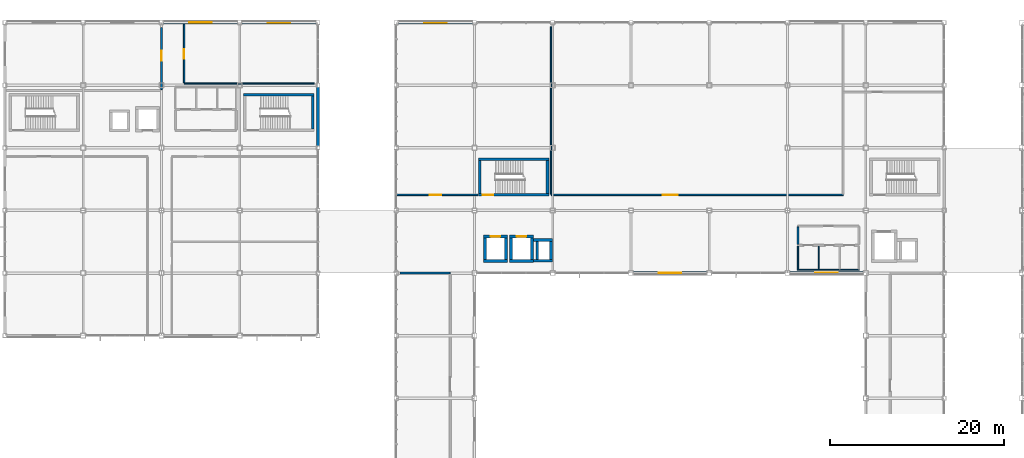
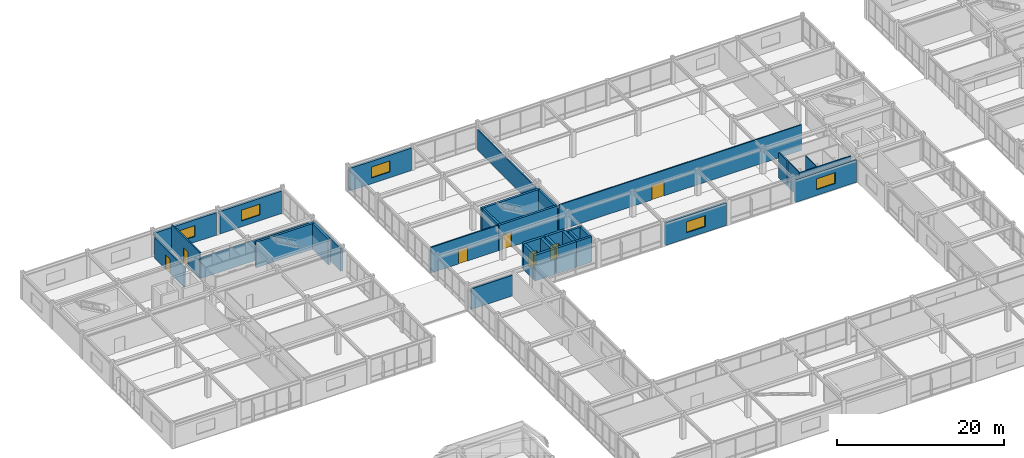
# One storey, part 96 of 113: 35 walls, 7 doors, 5 windows, 12 openings.
"""IFC4 building model written with IfcOpenShell, lengths in metres."""

from ifc_helpers import new_model, si_unit, direction, frame, frame_2d, origin, place, context, subcontext, project, spatial, rectangle, extrude, material, layer, layer_set, type_object, element, fill, save


model = new_model("IFC4")

# Units and contexts
model_context = context("Model", 3, precision=1e-05, world=origin(), true_north=direction((0.0, 1.0)))
body_context = subcontext(model_context, "Body", "Model", "MODEL_VIEW")
ifc_project = project(units=[si_unit("LENGTHUNIT", "METRE"), si_unit("AREAUNIT", "SQUARE_METRE"), si_unit("VOLUMEUNIT", "CUBIC_METRE"), si_unit("PLANEANGLEUNIT", "RADIAN"), si_unit("MASSUNIT", "GRAM", prefix="KILO")], contexts=[model_context])

# Site, building, storey
site_placement = place(None, origin())
site = spatial("IfcSite", under=ifc_project, at=site_placement, CompositionType="ELEMENT")
building_placement = place(site_placement, origin())
building = spatial("IfcBuilding", under=site, at=building_placement, Name="Kazanami Central Library", CompositionType="ELEMENT")
storey_placement = place(building_placement, frame((0.0, 0.0, 8.800048828125)))
storey = spatial("IfcBuildingStorey", under=building, at=storey_placement, Name="L03", CompositionType="ELEMENT", Elevation=8.800048828125)

# Wall
ifc_material_1 = material(Name="Concrete Fc36 (36 MPa)", Category="concrete")
ifc_layer_1 = layer(ifc_material_1, 0.219970703125, Name="Concrete Fc36 (36 MPa)")
ifc_material_2 = material(Name="Extruded Polystyrene XPS", Category="earth")
ifc_layer_2 = layer(ifc_material_2, 0.050048828125, Name="Extruded Polystyrene XPS")
ifc_material_3 = material(Name="Honed Inada Granite", Category="masonry")
ifc_layer_3 = layer(ifc_material_3, 0.030029296875, Name="Honed Inada Granite")
ifc_layer_set_1 = layer_set([ifc_layer_1, ifc_layer_2, ifc_layer_3], Name="Concrete Fc36 (36 MPa)")
wall_type_1 = type_object("IfcWallType", Name="WAL-EW-300", PredefinedType="STANDARD", material=ifc_layer_set_1)
wall_1_placement = place(storey_placement, frame((36.0, 86.175048828125, 0.0), z_axis=(0.0, 0.0, 1.0), x_axis=(0.0, -1.0, 0.0)))
element("IfcWall", 1, at=wall_1_placement, inside=storey, type_object=wall_type_1, Name="Exterior Facade Wall EW-300 L03 E-5-11", PredefinedType="STANDARD", context=body_context, shape_type="SweptSolid", body=[
    extrude(rectangle(XDim=6.75, YDim=0.300048828125, at=frame_2d((3.375, 0.0))), origin(), (0.0, 0.0, 1.0), 3.294921875),
])

# Wall, opening, window
ifc_layer_4 = layer(ifc_material_1, 0.239990234375, Name="Concrete Fc36 (36 MPa)")
ifc_layer_5 = layer(ifc_material_2, 0.050048828125, Name="Extruded Polystyrene XPS")
ifc_layer_6 = layer(ifc_material_3, 0.030029296875, Name="Honed Inada Granite")
ifc_layer_set_2 = layer_set([ifc_layer_4, ifc_layer_5, ifc_layer_6], Name="Concrete Fc36 (36 MPa)")
wall_type_2 = type_object("IfcWallType", Name="WAL-EW-320", PredefinedType="STANDARD", material=ifc_layer_set_2)
wall_2_placement = place(storey_placement, frame((72.27490234375, 64.800048828125, 0.0), z_axis=(0.0, 0.0, 1.0), x_axis=(1.0, 0.0, 0.0)))
wall_2 = element("IfcWall", 2, at=wall_2_placement, inside=storey, type_object=wall_type_2, Name="Exterior Facade Wall EW-320 L03 S-K-08", PredefinedType="STANDARD", context=body_context, shape_type="SweptSolid", body=[
    extrude(rectangle(XDim=8.4501953125, YDim=0.320068359375, at=frame_2d((4.22509765625, 0.0))), origin(), (0.0, 0.0, 1.0), 3.294921875),
])
opening_1_placement = place(wall_2_placement, frame((2.925048828125, 0.0, 0.85009765625)))
opening_1 = element("IfcOpeningElement", 3, at=opening_1_placement, cuts=wall_2, Name="Opening WN-13", PredefinedType="OPENING", context=body_context, shape_type="SweptSolid", body=[
    extrude(rectangle(XDim=2.60009765625, YDim=1.60009765625, at=frame_2d((1.300048828125, 0.800048828125))), frame((0.0, 0.171875, 0.0), z_axis=(0.0, -1.0, 0.0), x_axis=(1.0, 0.0, 0.0)), (0.0, 0.0, 1.0), 0.343994140625),
])
ifc_material_4 = material(Name="Low-E Insulated Triple Glass", Category="glass")
window_type = type_object("IfcWindowType", Name="WIN-WN-13", PartitioningType="DOUBLE_PANEL_VERTICAL", PredefinedType="WINDOW", material=ifc_material_4)
window_1_placement = place(opening_1_placement, origin())
window_1 = element("IfcWindow", 4, at=window_1_placement, inside=storey, type_object=window_type, Name="Facade Window WN-13 L03 S-K-08", OverallHeight=1.60009765625, OverallWidth=2.60009765625, PartitioningType="DOUBLE_PANEL_VERTICAL", PredefinedType="WINDOW", context=body_context, shape_type="SweptSolid", body=[
    extrude(rectangle(XDim=2.60009765625, YDim=1.60009765625, at=frame_2d((1.300048828125, 0.800048828125))), frame((0.0, 0.030029296875, 0.0), z_axis=(0.0, -1.0, 0.0), x_axis=(1.0, 0.0, 0.0)), (0.0, 0.0, 1.0), 0.06005859375),
])
fill(opening_1, window_1)

wall_3_placement = place(storey_placement, frame((90.27490234375, 64.800048828125, 0.0), z_axis=(0.0, 0.0, 1.0), x_axis=(1.0, 0.0, 0.0)))
wall_3 = element("IfcWall", 5, at=wall_3_placement, inside=storey, type_object=wall_type_2, Name="Exterior Facade Wall EW-320 L03 S-K-10", PredefinedType="STANDARD", context=body_context, shape_type="SweptSolid", body=[
    extrude(rectangle(XDim=8.4501953125, YDim=0.320068359375, at=frame_2d((4.22509765625, 0.0))), origin(), (0.0, 0.0, 1.0), 3.294921875),
])
opening_2_placement = place(wall_3_placement, frame((2.925048828125, 0.0, 0.85009765625)))
opening_2 = element("IfcOpeningElement", 6, at=opening_2_placement, cuts=wall_3, Name="Opening WN-13", PredefinedType="OPENING", context=body_context, shape_type="SweptSolid", body=[
    extrude(rectangle(XDim=2.60009765625, YDim=1.60009765625, at=frame_2d((1.300048828125, 0.800048828125))), frame((0.0, 0.171875, 0.0), z_axis=(0.0, -1.0, 0.0), x_axis=(1.0, 0.0, 0.0)), (0.0, 0.0, 1.0), 0.343994140625),
])
window_2_placement = place(opening_2_placement, origin())
window_2 = element("IfcWindow", 7, at=window_2_placement, inside=storey, type_object=window_type, Name="Facade Window WN-13 L03 S-K-10", OverallHeight=1.60009765625, OverallWidth=2.60009765625, PartitioningType="DOUBLE_PANEL_VERTICAL", PredefinedType="WINDOW", context=body_context, shape_type="SweptSolid", body=[
    extrude(rectangle(XDim=2.60009765625, YDim=1.60009765625, at=frame_2d((1.300048828125, 0.800048828125))), frame((0.0, 0.030029296875, 0.0), z_axis=(0.0, -1.0, 0.0), x_axis=(1.0, 0.0, 0.0)), (0.0, 0.0, 1.0), 0.06005859375),
])
fill(opening_2, window_2)

wall_4_placement = place(storey_placement, frame((26.77490234375, 93.60009765625, 0.0), z_axis=(0.0, 0.0, 1.0), x_axis=(-1.0, 0.0, 0.0)))
wall_4 = element("IfcWall", 8, at=wall_4_placement, inside=storey, type_object=wall_type_2, Name="Exterior Facade Wall EW-320 L03 N-O-02", PredefinedType="STANDARD", context=body_context, shape_type="SweptSolid", body=[
    extrude(rectangle(XDim=8.5498046875, YDim=0.320068359375, at=frame_2d((4.27490234375, 0.0))), origin(), (0.0, 0.0, 1.0), 3.294921875),
])
opening_3_placement = place(wall_4_placement, frame((2.97509765625, 0.0, 0.85009765625)))
opening_3 = element("IfcOpeningElement", 9, at=opening_3_placement, cuts=wall_4, Name="Opening WN-13", PredefinedType="OPENING", context=body_context, shape_type="SweptSolid", body=[
    extrude(rectangle(XDim=2.60009765625, YDim=1.60009765625, at=frame_2d((1.300048828125, 0.800048828125))), frame((0.0, 0.171875, 0.0), z_axis=(0.0, -1.0, 0.0), x_axis=(1.0, 0.0, 0.0)), (0.0, 0.0, 1.0), 0.343994140625),
])
window_3_placement = place(opening_3_placement, origin())
window_3 = element("IfcWindow", 10, at=window_3_placement, inside=storey, type_object=window_type, Name="Facade Window WN-13 L03 N-O-02", OverallHeight=1.60009765625, OverallWidth=2.60009765625, PartitioningType="DOUBLE_PANEL_VERTICAL", PredefinedType="WINDOW", context=body_context, shape_type="SweptSolid", body=[
    extrude(rectangle(XDim=2.60009765625, YDim=1.60009765625, at=frame_2d((1.300048828125, 0.800048828125))), frame((0.0, 0.030029296875, 0.0), z_axis=(0.0, -1.0, 0.0), x_axis=(1.0, 0.0, 0.0)), (0.0, 0.0, 1.0), 0.06005859375),
])
fill(opening_3, window_3)

wall_5_placement = place(storey_placement, frame((35.77490234375, 93.60009765625, 0.0), z_axis=(0.0, 0.0, 1.0), x_axis=(-1.0, 0.0, 0.0)))
wall_5 = element("IfcWall", 11, at=wall_5_placement, inside=storey, type_object=wall_type_2, Name="Exterior Facade Wall EW-320 L03 N-O-03", PredefinedType="STANDARD", context=body_context, shape_type="SweptSolid", body=[
    extrude(rectangle(XDim=8.5498046875, YDim=0.320068359375, at=frame_2d((4.27490234375, 0.0))), origin(), (0.0, 0.0, 1.0), 3.294921875),
])
opening_4_placement = place(wall_5_placement, frame((2.97509765625, 0.0, 0.85009765625)))
opening_4 = element("IfcOpeningElement", 12, at=opening_4_placement, cuts=wall_5, Name="Opening WN-13", PredefinedType="OPENING", context=body_context, shape_type="SweptSolid", body=[
    extrude(rectangle(XDim=2.60009765625, YDim=1.60009765625, at=frame_2d((1.300048828125, 0.800048828125))), frame((0.0, 0.171875, 0.0), z_axis=(0.0, -1.0, 0.0), x_axis=(1.0, 0.0, 0.0)), (0.0, 0.0, 1.0), 0.343994140625),
])
window_4_placement = place(opening_4_placement, origin())
window_4 = element("IfcWindow", 13, at=window_4_placement, inside=storey, type_object=window_type, Name="Facade Window WN-13 L03 N-O-03", OverallHeight=1.60009765625, OverallWidth=2.60009765625, PartitioningType="DOUBLE_PANEL_VERTICAL", PredefinedType="WINDOW", context=body_context, shape_type="SweptSolid", body=[
    extrude(rectangle(XDim=2.60009765625, YDim=1.60009765625, at=frame_2d((1.300048828125, 0.800048828125))), frame((0.0, 0.030029296875, 0.0), z_axis=(0.0, -1.0, 0.0), x_axis=(1.0, 0.0, 0.0)), (0.0, 0.0, 1.0), 0.06005859375),
])
fill(opening_4, window_4)

wall_6_placement = place(storey_placement, frame((53.77490234375, 93.60009765625, 0.0), z_axis=(0.0, 0.0, 1.0), x_axis=(-1.0, 0.0, 0.0)))
wall_6 = element("IfcWall", 14, at=wall_6_placement, inside=storey, type_object=wall_type_2, Name="Exterior Facade Wall EW-320 L03 N-O-05", PredefinedType="STANDARD", context=body_context, shape_type="SweptSolid", body=[
    extrude(rectangle(XDim=8.5498046875, YDim=0.320068359375, at=frame_2d((4.27490234375, 0.0))), origin(), (0.0, 0.0, 1.0), 3.294921875),
])
opening_5_placement = place(wall_6_placement, frame((2.97509765625, 0.0, 0.85009765625)))
opening_5 = element("IfcOpeningElement", 15, at=opening_5_placement, cuts=wall_6, Name="Opening WN-13", PredefinedType="OPENING", context=body_context, shape_type="SweptSolid", body=[
    extrude(rectangle(XDim=2.60009765625, YDim=1.60009765625, at=frame_2d((1.300048828125, 0.800048828125))), frame((0.0, 0.171875, 0.0), z_axis=(0.0, -1.0, 0.0), x_axis=(1.0, 0.0, 0.0)), (0.0, 0.0, 1.0), 0.343994140625),
])
window_5_placement = place(opening_5_placement, origin())
window_5 = element("IfcWindow", 16, at=window_5_placement, inside=storey, type_object=window_type, Name="Facade Window WN-13 L03 N-O-05", OverallHeight=1.60009765625, OverallWidth=2.60009765625, PartitioningType="DOUBLE_PANEL_VERTICAL", PredefinedType="WINDOW", context=body_context, shape_type="SweptSolid", body=[
    extrude(rectangle(XDim=2.60009765625, YDim=1.60009765625, at=frame_2d((1.300048828125, 0.800048828125))), frame((0.0, 0.030029296875, 0.0), z_axis=(0.0, -1.0, 0.0), x_axis=(1.0, 0.0, 0.0)), (0.0, 0.0, 1.0), 0.06005859375),
])
fill(opening_5, window_5)

# Wall
ifc_material_5 = material(Name="Fire-Resistant Gypsum Board GB-F", Category="gypsum")
ifc_layer_7 = layer(ifc_material_5, 0.1650390625, Name="Fire-Resistant Gypsum Board GB-F")
ifc_layer_set_3 = layer_set([ifc_layer_7], Name="Fire-Resistant Gypsum Board GB-F")
wall_type_3 = type_object("IfcWallType", Name="WAL-FW-165", PredefinedType="PARTITIONING", material=ifc_layer_set_3)
wall_7_placement = place(storey_placement, frame((20.60009765625, 86.60009765625, 0.0), z_axis=(0.0, 0.0, 1.0), x_axis=(1.0, 0.0, 0.0)))
element("IfcWall", 17, at=wall_7_placement, inside=storey, type_object=wall_type_3, Name="Interior Partition FW-165 L03 RM-19 (South)", PredefinedType="PARTITIONING", context=body_context, shape_type="SweptSolid", body=[
    extrude(rectangle(XDim=14.94482421875, YDim=0.1650390625, at=frame_2d((7.472412109375, 0.0))), origin(), (0.0, 0.0, 1.0), 3.02490234375),
])

# Wall, opening, door
wall_8_placement = place(storey_placement, frame((20.60009765625, 86.68994140625, 0.0), z_axis=(0.0, 0.0, 1.0), x_axis=(0.0, 1.0, 0.0)))
wall_8 = element("IfcWall", 18, at=wall_8_placement, inside=storey, type_object=wall_type_3, Name="Interior Partition FW-165 L03 RM-19 (West)", PredefinedType="PARTITIONING", context=body_context, shape_type="SweptSolid", body=[
    extrude(rectangle(XDim=6.7451171875, YDim=0.1650390625, at=frame_2d((3.37255859375, 0.0))), origin(), (0.0, 0.0, 1.0), 3.744873046875),
])
opening_6_placement = place(wall_8_placement, frame((2.75, 0.0, 0.0)))
opening_6 = element("IfcOpeningElement", 19, at=opening_6_placement, cuts=wall_8, Name="Opening FD30-8", PredefinedType="OPENING", context=body_context, shape_type="SweptSolid", body=[
    extrude(rectangle(XDim=1.1201171875, YDim=2.080078125, at=frame_2d((0.56005859375, 1.0400390625))), frame((0.0, 0.094482421875, 0.0), z_axis=(0.0, -1.0, 0.0), x_axis=(1.0, 0.0, 0.0)), (0.0, 0.0, 1.0), 0.18896484375),
])
ifc_material_6 = material(Name="Cold-Rolled Steel SPCC", Category="steel")
door_type_1 = type_object("IfcDoorType", Name="DOR-FD30-8", OperationType="NOTDEFINED", PredefinedType="DOOR", material=ifc_material_6)
door_1_placement = place(opening_6_placement, origin())
door_1 = element("IfcDoor", 20, at=door_1_placement, inside=storey, type_object=door_type_1, Name="Interior Door FD30-8 L03 RM-19", OperationType="SINGLE_SWING_RIGHT", OverallHeight=2.080078125, OverallWidth=1.1201171875, PredefinedType="DOOR", context=body_context, shape_type="SweptSolid", body=[
    extrude(rectangle(XDim=1.1201171875, YDim=2.080078125, at=frame_2d((0.56005859375, 1.0400390625))), frame((0.0, 0.02490234375, 0.0), z_axis=(0.0, -1.0, 0.0), x_axis=(1.0, 0.0, 0.0)), (0.0, 0.0, 1.0), 0.050048828125),
])
fill(opening_6, door_1)

wall_9_placement = place(storey_placement, frame((62.800048828125, 73.800048828125, 0.0), z_axis=(0.0, 0.0, 1.0), x_axis=(1.0, 0.0, 0.0)))
wall_9 = element("IfcWall", 21, at=wall_9_placement, inside=storey, type_object=wall_type_3, Name="Interior Partition FW-165 L03 RM-30 (South)", PredefinedType="PARTITIONING", context=body_context, shape_type="SweptSolid", body=[
    extrude(rectangle(XDim=33.599853515625, YDim=0.1650390625, at=frame_2d((16.7998046875, 0.0))), origin(), (0.0, 0.0, 1.0), 3.744873046875),
])
opening_7_placement = place(wall_9_placement, frame((12.85009765625, 0.0, 0.0)))
opening_7 = element("IfcOpeningElement", 22, at=opening_7_placement, cuts=wall_9, Name="Opening FD30-4", PredefinedType="OPENING", context=body_context, shape_type="SweptSolid", body=[
    extrude(rectangle(XDim=1.699951171875, YDim=2.1201171875, at=frame_2d((0.85009765625, 1.06005859375))), frame((0.0, 0.094482421875, 0.0), z_axis=(0.0, -1.0, 0.0), x_axis=(1.0, 0.0, 0.0)), (0.0, 0.0, 1.0), 0.18896484375),
])
door_type_2 = type_object("IfcDoorType", Name="DOR-FD30-4", OperationType="DOUBLE_DOOR_SINGLE_SWING", PredefinedType="DOOR", material=ifc_material_6)
door_2_placement = place(opening_7_placement, origin())
door_2 = element("IfcDoor", 23, at=door_2_placement, inside=storey, type_object=door_type_2, Name="Interior Door FD30-4 L03 RM-30", OperationType="DOUBLE_DOOR_SINGLE_SWING", OverallHeight=2.1201171875, OverallWidth=1.699951171875, PredefinedType="DOOR", context=body_context, shape_type="SweptSolid", body=[
    extrude(rectangle(XDim=1.699951171875, YDim=2.1201171875, at=frame_2d((0.85009765625, 1.06005859375))), frame((0.0, 0.02490234375, 0.0), z_axis=(0.0, -1.0, 0.0), x_axis=(1.0, 0.0, 0.0)), (0.0, 0.0, 1.0), 0.050048828125),
])
fill(opening_7, door_2)

# Walls
wall_10_placement = place(storey_placement, frame((62.800048828125, 73.889892578125, 0.0), z_axis=(0.0, 0.0, 1.0), x_axis=(0.0, 1.0, 0.0)))
element("IfcWall", 24, at=wall_10_placement, inside=storey, type_object=wall_type_3, Name="Interior Partition FW-165 L03 RM-30 (West)", PredefinedType="PARTITIONING", context=body_context, shape_type="SweptSolid", body=[
    extrude(rectangle(XDim=19.255126953125, YDim=0.1650390625, at=frame_2d((9.62744140625, 0.0))), origin(), (0.0, 0.0, 1.0), 3.02490234375),
])
ifc_layer_8 = layer(ifc_material_5, 0.179931640625, Name="Fire-Resistant Gypsum Board GB-F")
ifc_layer_set_4 = layer_set([ifc_layer_8], Name="Fire-Resistant Gypsum Board GB-F")
wall_type_4 = type_object("IfcWallType", Name="WAL-FW-180", PredefinedType="PARTITIONING", material=ifc_layer_set_4)
wall_11_placement = place(storey_placement, frame((91.199951171875, 68.090087890625, 0.0), z_axis=(0.0, 0.0, 1.0), x_axis=(0.0, 1.0, 0.0)))
element("IfcWall", 25, at=wall_11_placement, inside=storey, type_object=wall_type_4, Name="Interior Partition FW-180 L03 WC-V1-LOB (West)", PredefinedType="PARTITIONING", context=body_context, shape_type="SweptSolid", body=[
    extrude(rectangle(XDim=2.02001953125, YDim=0.179931640625, at=frame_2d((1.010009765625, 0.0))), origin(), (0.0, 0.0, 1.0), 3.744873046875),
])

# Wall, opening, door
wall_12_placement = place(storey_placement, frame((45.034912109375, 73.800048828125, 0.0), z_axis=(0.0, 0.0, 1.0), x_axis=(1.0, 0.0, 0.0)))
wall_12 = element("IfcWall", 26, at=wall_12_placement, inside=storey, type_object=wall_type_4, Name="Interior Partition FW-180 L03 RM-31 (South)", PredefinedType="PARTITIONING", context=body_context, shape_type="SweptSolid", body=[
    extrude(rectangle(XDim=9.364990234375, YDim=0.179931640625, at=frame_2d((4.6826171875, 0.0))), origin(), (0.0, 0.0, 1.0), 3.744873046875),
])
opening_8_placement = place(wall_12_placement, frame((3.81494140625, 0.0, 0.0)))
opening_8 = element("IfcOpeningElement", 27, at=opening_8_placement, cuts=wall_12, Name="Opening FD30-7", PredefinedType="OPENING", context=body_context, shape_type="SweptSolid", body=[
    extrude(rectangle(XDim=1.300048828125, YDim=2.080078125, at=frame_2d((0.64990234375, 1.0400390625))), frame((0.0, 0.10205078125, 0.0), z_axis=(0.0, -1.0, 0.0), x_axis=(1.0, 0.0, 0.0)), (0.0, 0.0, 1.0), 0.203857421875),
])
door_type_3 = type_object("IfcDoorType", Name="DOR-FD30-7", OperationType="DOUBLE_DOOR_SINGLE_SWING", PredefinedType="DOOR", material=ifc_material_6)
door_3_placement = place(opening_8_placement, origin())
door_3 = element("IfcDoor", 28, at=door_3_placement, inside=storey, type_object=door_type_3, Name="Interior Door FD30-7 L03 RM-31", OperationType="DOUBLE_DOOR_SINGLE_SWING", OverallHeight=2.080078125, OverallWidth=1.300048828125, PredefinedType="DOOR", context=body_context, shape_type="SweptSolid", body=[
    extrude(rectangle(XDim=1.300048828125, YDim=2.080078125, at=frame_2d((0.64990234375, 1.0400390625))), frame((0.0, 0.02490234375, 0.0), z_axis=(0.0, -1.0, 0.0), x_axis=(1.0, 0.0, 0.0)), (0.0, 0.0, 1.0), 0.050048828125),
])
fill(opening_8, door_3)

ifc_layer_9 = layer(ifc_material_5, 0.199951171875, Name="Fire-Resistant Gypsum Board GB-F")
ifc_layer_set_5 = layer_set([ifc_layer_9], Name="Fire-Resistant Gypsum Board GB-F")
wall_type_5 = type_object("IfcWallType", Name="WAL-FW-200", PredefinedType="PARTITIONING", material=ifc_layer_set_5)
wall_13_placement = place(storey_placement, frame((18.0, 85.889892578125, 0.0), z_axis=(0.0, 0.0, 1.0), x_axis=(0.0, 1.0, 0.0)))
wall_13 = element("IfcWall", 29, at=wall_13_placement, inside=storey, type_object=wall_type_5, Name="Interior Partition FW-200 L03 RM-18 (East)", PredefinedType="PARTITIONING", context=body_context, shape_type="SweptSolid", body=[
    extrude(rectangle(XDim=7.125, YDim=0.199951171875, at=frame_2d((3.5625, 0.0))), origin(), (0.0, 0.0, 1.0), 3.02490234375),
])
opening_9_placement = place(wall_13_placement, frame((3.3349609375, 0.0, 0.0)))
opening_9 = element("IfcOpeningElement", 30, at=opening_9_placement, cuts=wall_13, Name="Opening FD60-2", PredefinedType="OPENING", context=body_context, shape_type="SweptSolid", body=[
    extrude(rectangle(XDim=1.14990234375, YDim=2.10009765625, at=frame_2d((0.574951171875, 1.050048828125))), frame((0.0, 0.11181640625, 0.0), z_axis=(0.0, -1.0, 0.0), x_axis=(1.0, 0.0, 0.0)), (0.0, 0.0, 1.0), 0.223876953125),
])
door_type_4 = type_object("IfcDoorType", Name="DOR-FD60-2", OperationType="NOTDEFINED", PredefinedType="DOOR", material=ifc_material_6)
door_4_placement = place(opening_9_placement, origin())
door_4 = element("IfcDoor", 31, at=door_4_placement, inside=storey, type_object=door_type_4, Name="Interior Door FD60-2 L03 RM-18", OperationType="SINGLE_SWING_LEFT", OverallHeight=2.10009765625, OverallWidth=1.14990234375, PredefinedType="DOOR", context=body_context, shape_type="SweptSolid", body=[
    extrude(rectangle(XDim=1.14990234375, YDim=2.10009765625, at=frame_2d((0.574951171875, 1.050048828125))), frame((0.0, 0.02490234375, 0.0), z_axis=(0.0, -1.0, 0.0), x_axis=(1.0, 0.0, 0.0)), (0.0, 0.0, 1.0), 0.050048828125),
])
fill(opening_9, door_4)

# Walls
wall_14_placement = place(storey_placement, frame((45.455078125, 64.800048828125, 0.0), z_axis=(0.0, 0.0, 1.0), x_axis=(1.0, 0.0, 0.0)))
element("IfcWall", 32, at=wall_14_placement, inside=storey, type_object=wall_type_5, Name="Interior Partition FW-200 L03 RM-27 (North)", PredefinedType="PARTITIONING", context=body_context, shape_type="SweptSolid", body=[
    extrude(rectangle(XDim=5.744873046875, YDim=0.199951171875, at=frame_2d((2.87255859375, 0.0))), origin(), (0.0, 0.0, 1.0), 3.02490234375),
])
ifc_material_7 = material(Name="Gypsum Plasterboard GB-R", Category="gypsum")
ifc_layer_10 = layer(ifc_material_7, 0.125, Name="Gypsum Plasterboard GB-R")
ifc_layer_set_6 = layer_set([ifc_layer_10], Name="Gypsum Plasterboard GB-R")
wall_type_6 = type_object("IfcWallType", Name="WAL-PW-125", PredefinedType="PARTITIONING", material=ifc_layer_set_6)
wall_15_placement = place(storey_placement, frame((91.137451171875, 65.1923828125, 0.0), z_axis=(0.0, 0.0, 1.0), x_axis=(1.0, 0.0, 0.0)))
element("IfcWall", 33, at=wall_15_placement, inside=storey, type_object=wall_type_6, Name="Interior Partition PW-125 L03 WC-V1 (South)", PredefinedType="PARTITIONING", context=body_context, shape_type="SweptSolid", body=[
    extrude(rectangle(XDim=7.125, YDim=0.125, at=frame_2d((3.5625, 0.0))), origin(), (0.0, 0.0, 1.0), 3.744873046875),
])
for number, where, z_axis, x_axis, name in (
    (34, (91.199951171875, 65.2548828125, 0.0), (0.0, 0.0, 1.0), (0.0, 1.0, 0.0), "Interior Partition PW-125 L03 WC-V1-M (West)"),
    (35, (93.60009765625, 65.2548828125, 0.0), (0.0, 0.0, 1.0), (0.0, 1.0, 0.0), "Interior Partition PW-125 L03 WC-V1-M (East)"),
):
    element("IfcWall", number, at=place(storey_placement, frame(where, z_axis=z_axis, x_axis=x_axis)), inside=storey, type_object=wall_type_6, Name=name, PredefinedType="PARTITIONING", context=body_context, shape_type="SweptSolid", body=[
        extrude(rectangle(XDim=2.655029296875, YDim=0.125, at=frame_2d((1.32763671875, 0.0))), origin(), (0.0, 0.0, 1.0), 3.744873046875),
    ])

# Wall, opening, door
ifc_layer_11 = layer(ifc_material_1, 0.300048828125, Name="Concrete Fc36 (36 MPa)")
ifc_layer_set_7 = layer_set([ifc_layer_11], Name="Concrete Fc36 (36 MPa)")
wall_type_7 = type_object("IfcWallType", Name="WAL-SW-300", PredefinedType="SHEAR", material=ifc_layer_set_7)
wall_16_placement = place(storey_placement, frame((54.449951171875, 73.800048828125, 0.0), z_axis=(0.0, 0.0, 1.0), x_axis=(1.0, 0.0, 0.0)))
wall_16 = element("IfcWall", 36, at=wall_16_placement, inside=storey, type_object=wall_type_7, Name="Stair Core Wall ST-03 South L03", PredefinedType="SHEAR", context=body_context, shape_type="SweptSolid", body=[
    extrude(rectangle(XDim=8.10009765625, YDim=0.300048828125, at=frame_2d((4.050048828125, 0.0))), origin(), (0.0, 0.0, 1.0), 3.744873046875),
])
opening_10_placement = place(wall_16_placement, frame((0.5, 0.0, 0.0)))
opening_10 = element("IfcOpeningElement", 37, at=opening_10_placement, cuts=wall_16, Name="Opening FD60-1", PredefinedType="OPENING", context=body_context, shape_type="SweptSolid", body=[
    extrude(rectangle(XDim=1.199951171875, YDim=2.10009765625, at=frame_2d((0.60009765625, 1.050048828125))), frame((0.0, 0.162109375, 0.0), z_axis=(0.0, -1.0, 0.0), x_axis=(1.0, 0.0, 0.0)), (0.0, 0.0, 1.0), 0.323974609375),
])
door_type_5 = type_object("IfcDoorType", Name="DOR-FD60-1", OperationType="NOTDEFINED", PredefinedType="DOOR", material=ifc_material_6)
door_5_placement = place(opening_10_placement, origin())
door_5 = element("IfcDoor", 38, at=door_5_placement, inside=storey, type_object=door_type_5, Name="Escape Stair ST-03 Fire Door L03", OperationType="SINGLE_SWING_RIGHT", OverallHeight=2.10009765625, OverallWidth=1.199951171875, PredefinedType="DOOR", context=body_context, shape_type="SweptSolid", body=[
    extrude(rectangle(XDim=1.199951171875, YDim=2.10009765625, at=frame_2d((0.60009765625, 1.050048828125))), frame((0.0, 0.02490234375, 0.0), z_axis=(0.0, -1.0, 0.0), x_axis=(1.0, 0.0, 0.0)), (0.0, 0.0, 1.0), 0.050048828125),
])
fill(opening_10, door_5)

# Walls
wall_17_placement = place(storey_placement, frame((54.449951171875, 77.89990234375, 0.0), z_axis=(0.0, 0.0, 1.0), x_axis=(1.0, 0.0, 0.0)))
element("IfcWall", 39, at=wall_17_placement, inside=storey, type_object=wall_type_7, Name="Stair Core Wall ST-03 North L03", PredefinedType="SHEAR", context=body_context, shape_type="SweptSolid", body=[
    extrude(rectangle(XDim=8.10009765625, YDim=0.300048828125, at=frame_2d((4.050048828125, 0.0))), origin(), (0.0, 0.0, 1.0), 3.744873046875),
])
for number, where, z_axis, x_axis, name in (
    (40, (54.60009765625, 73.949951171875, 0.0), (0.0, 0.0, 1.0), (0.0, 1.0, 0.0), "Stair Core Wall ST-03 West L03"),
    (41, (62.39990234375, 73.949951171875, 0.0), (0.0, 0.0, 1.0), (0.0, 1.0, 0.0), "Stair Core Wall ST-03 East L03"),
):
    element("IfcWall", number, at=place(storey_placement, frame(where, z_axis=z_axis, x_axis=x_axis)), inside=storey, type_object=wall_type_7, Name=name, PredefinedType="SHEAR", context=body_context, shape_type="SweptSolid", body=[
        extrude(rectangle(XDim=3.800048828125, YDim=0.300048828125, at=frame_2d((1.89990234375, 0.0))), origin(), (0.0, 0.0, 1.0), 3.744873046875),
    ])
wall_18_placement = place(storey_placement, frame((27.449951171875, 85.300048828125, 0.0), z_axis=(0.0, 0.0, 1.0), x_axis=(1.0, 0.0, 0.0)))
element("IfcWall", 42, at=wall_18_placement, inside=storey, type_object=wall_type_7, Name="Stair Core Wall ST-06 North L03", PredefinedType="SHEAR", context=body_context, shape_type="SweptSolid", body=[
    extrude(rectangle(XDim=8.10009765625, YDim=0.300048828125, at=frame_2d((4.050048828125, 0.0))), origin(), (0.0, 0.0, 1.0), 3.744873046875),
])
wall_19_placement = place(storey_placement, frame((35.39990234375, 81.35009765625, 0.0), z_axis=(0.0, 0.0, 1.0), x_axis=(0.0, 1.0, 0.0)))
element("IfcWall", 43, at=wall_19_placement, inside=storey, type_object=wall_type_7, Name="Stair Core Wall ST-06 East L03", PredefinedType="SHEAR", context=body_context, shape_type="SweptSolid", body=[
    extrude(rectangle(XDim=3.7998046875, YDim=0.300048828125, at=frame_2d((1.89990234375, 0.0))), origin(), (0.0, 0.0, 1.0), 3.744873046875),
])
for number, where, z_axis, x_axis, name in (
    (44, (60.77490234375, 66.199951171875, 0.0), (0.0, 0.0, 1.0), (1.0, 0.0, 0.0), "Service Riser Wall RSR-V1-A S L03"),
    (45, (60.77490234375, 68.60009765625, 0.0), (0.0, 0.0, 1.0), (1.0, 0.0, 0.0), "Service Riser Wall RSR-V1-A N L03"),
):
    element("IfcWall", number, at=place(storey_placement, frame(where, z_axis=z_axis, x_axis=x_axis)), inside=storey, type_object=wall_type_7, Name=name, PredefinedType="SHEAR", context=body_context, shape_type="SweptSolid", body=[
        extrude(rectangle(XDim=2.175048828125, YDim=0.300048828125, at=frame_2d((1.08740234375, 0.0))), origin(), (0.0, 0.0, 1.0), 3.744873046875),
    ])
for number, where, z_axis, x_axis, name in (
    (46, (61.199951171875, 66.35009765625, 0.0), (0.0, 0.0, 1.0), (0.0, 1.0, 0.0), "Service Riser Wall RSR-V1-A W L03"),
    (47, (62.800048828125, 66.35009765625, 0.0), (0.0, 0.0, 1.0), (0.0, 1.0, 0.0), "Service Riser Wall RSR-V1-A E L03"),
):
    element("IfcWall", number, at=place(storey_placement, frame(where, z_axis=z_axis, x_axis=x_axis)), inside=storey, type_object=wall_type_7, Name=name, PredefinedType="SHEAR", context=body_context, shape_type="SweptSolid", body=[
        extrude(rectangle(XDim=2.099853515625, YDim=0.300048828125, at=frame_2d((1.0498046875, 0.0))), origin(), (0.0, 0.0, 1.0), 3.744873046875),
    ])
ifc_layer_12 = layer(ifc_material_1, 0.35009765625, Name="Concrete Fc36 (36 MPa)")
ifc_layer_set_8 = layer_set([ifc_layer_12], Name="Concrete Fc36 (36 MPa)")
wall_type_8 = type_object("IfcWallType", Name="WAL-SW-350", PredefinedType="SHEAR", material=ifc_layer_set_8)
wall_20_placement = place(storey_placement, frame((55.02490234375, 66.199951171875, 0.0), z_axis=(0.0, 0.0, 1.0), x_axis=(1.0, 0.0, 0.0)))
element("IfcWall", 48, at=wall_20_placement, inside=storey, type_object=wall_type_8, Name="Lift Shaft Wall EL-P2 South L03", PredefinedType="SHEAR", context=body_context, shape_type="SweptSolid", body=[
    extrude(rectangle(XDim=2.75, YDim=0.35009765625, at=frame_2d((1.375, 0.0))), origin(), (0.0, 0.0, 1.0), 3.744873046875),
])

# Wall, opening, door
wall_21_placement = place(storey_placement, frame((55.02490234375, 69.0, 0.0), z_axis=(0.0, 0.0, 1.0), x_axis=(1.0, 0.0, 0.0)))
wall_21 = element("IfcWall", 49, at=wall_21_placement, inside=storey, type_object=wall_type_8, Name="Lift Shaft Wall EL-P2 North L03", PredefinedType="SHEAR", context=body_context, shape_type="SweptSolid", body=[
    extrude(rectangle(XDim=2.75, YDim=0.35009765625, at=frame_2d((1.375, 0.0))), origin(), (0.0, 0.0, 1.0), 3.744873046875),
])
opening_11_placement = place(wall_21_placement, frame((0.824951171875, 0.0, 0.0)))
opening_11 = element("IfcOpeningElement", 50, at=opening_11_placement, cuts=wall_21, Name="Opening LD-01", PredefinedType="OPENING", context=body_context, shape_type="SweptSolid", body=[
    extrude(rectangle(XDim=1.10009765625, YDim=2.10009765625, at=frame_2d((0.550048828125, 1.050048828125))), frame((0.0, 0.18701171875, 0.0), z_axis=(0.0, -1.0, 0.0), x_axis=(1.0, 0.0, 0.0)), (0.0, 0.0, 1.0), 0.3740234375),
])
ifc_material_8 = material(Name="Stainless Steel SUS304", Category="steel")
door_type_6 = type_object("IfcDoorType", Name="DOR-LD-01", OperationType="SLIDING_TO_LEFT", PredefinedType="DOOR", material=ifc_material_8)
door_6_placement = place(opening_11_placement, origin())
door_6 = element("IfcDoor", 51, at=door_6_placement, inside=storey, type_object=door_type_6, Name="Lift Landing Sliding Door EL-P2 (L03)", OperationType="SLIDING_TO_RIGHT", OverallHeight=2.10009765625, OverallWidth=1.10009765625, PredefinedType="DOOR", context=body_context, shape_type="SweptSolid", body=[
    extrude(rectangle(XDim=1.10009765625, YDim=2.10009765625, at=frame_2d((0.550048828125, 1.050048828125))), frame((0.0, 0.02490234375, 0.0), z_axis=(0.0, -1.0, 0.0), x_axis=(1.0, 0.0, 0.0)), (0.0, 0.0, 1.0), 0.050048828125),
])
fill(opening_11, door_6)

# Walls
for number, where, z_axis, x_axis, name in (
    (52, (55.199951171875, 66.375, 0.0), (0.0, 0.0, 1.0), (0.0, 1.0, 0.0), "Lift Shaft Wall EL-P2 West L03"),
    (53, (57.60009765625, 66.375, 0.0), (0.0, 0.0, 1.0), (0.0, 1.0, 0.0), "Lift Shaft Wall EL-P2 East L03"),
):
    element("IfcWall", number, at=place(storey_placement, frame(where, z_axis=z_axis, x_axis=x_axis)), inside=storey, type_object=wall_type_8, Name=name, PredefinedType="SHEAR", context=body_context, shape_type="SweptSolid", body=[
        extrude(rectangle(XDim=2.449951171875, YDim=0.35009765625, at=frame_2d((1.22509765625, 0.0))), origin(), (0.0, 0.0, 1.0), 3.744873046875),
    ])
wall_22_placement = place(storey_placement, frame((58.02490234375, 66.199951171875, 0.0), z_axis=(0.0, 0.0, 1.0), x_axis=(1.0, 0.0, 0.0)))
element("IfcWall", 54, at=wall_22_placement, inside=storey, type_object=wall_type_8, Name="Lift Shaft Wall EL-P3 South L03", PredefinedType="SHEAR", context=body_context, shape_type="SweptSolid", body=[
    extrude(rectangle(XDim=2.75, YDim=0.35009765625, at=frame_2d((1.375, 0.0))), origin(), (0.0, 0.0, 1.0), 3.744873046875),
])

# Wall, opening, door
wall_23_placement = place(storey_placement, frame((58.02490234375, 69.0, 0.0), z_axis=(0.0, 0.0, 1.0), x_axis=(1.0, 0.0, 0.0)))
wall_23 = element("IfcWall", 55, at=wall_23_placement, inside=storey, type_object=wall_type_8, Name="Lift Shaft Wall EL-P3 North L03", PredefinedType="SHEAR", context=body_context, shape_type="SweptSolid", body=[
    extrude(rectangle(XDim=2.75, YDim=0.35009765625, at=frame_2d((1.375, 0.0))), origin(), (0.0, 0.0, 1.0), 3.744873046875),
])
opening_12_placement = place(wall_23_placement, frame((0.824951171875, 0.0, 0.0)))
opening_12 = element("IfcOpeningElement", 56, at=opening_12_placement, cuts=wall_23, Name="Opening LD-01", PredefinedType="OPENING", context=body_context, shape_type="SweptSolid", body=[
    extrude(rectangle(XDim=1.10009765625, YDim=2.10009765625, at=frame_2d((0.550048828125, 1.050048828125))), frame((0.0, 0.18701171875, 0.0), z_axis=(0.0, -1.0, 0.0), x_axis=(1.0, 0.0, 0.0)), (0.0, 0.0, 1.0), 0.3740234375),
])
door_7_placement = place(opening_12_placement, origin())
door_7 = element("IfcDoor", 57, at=door_7_placement, inside=storey, type_object=door_type_6, Name="Lift Landing Sliding Door EL-P3 (L03)", OperationType="SLIDING_TO_RIGHT", OverallHeight=2.10009765625, OverallWidth=1.10009765625, PredefinedType="DOOR", context=body_context, shape_type="SweptSolid", body=[
    extrude(rectangle(XDim=1.10009765625, YDim=2.10009765625, at=frame_2d((0.550048828125, 1.050048828125))), frame((0.0, 0.02490234375, 0.0), z_axis=(0.0, -1.0, 0.0), x_axis=(1.0, 0.0, 0.0)), (0.0, 0.0, 1.0), 0.050048828125),
])
fill(opening_12, door_7)

# Walls
for number, where, z_axis, x_axis, name in (
    (58, (58.199951171875, 66.375, 0.0), (0.0, 0.0, 1.0), (0.0, 1.0, 0.0), "Lift Shaft Wall EL-P3 West L03"),
    (59, (60.60009765625, 66.375, 0.0), (0.0, 0.0, 1.0), (0.0, 1.0, 0.0), "Lift Shaft Wall EL-P3 East L03"),
):
    element("IfcWall", number, at=place(storey_placement, frame(where, z_axis=z_axis, x_axis=x_axis)), inside=storey, type_object=wall_type_8, Name=name, PredefinedType="SHEAR", context=body_context, shape_type="SweptSolid", body=[
        extrude(rectangle(XDim=2.449951171875, YDim=0.35009765625, at=frame_2d((1.22509765625, 0.0))), origin(), (0.0, 0.0, 1.0), 3.744873046875),
    ])

save(model, "model.ifc")
